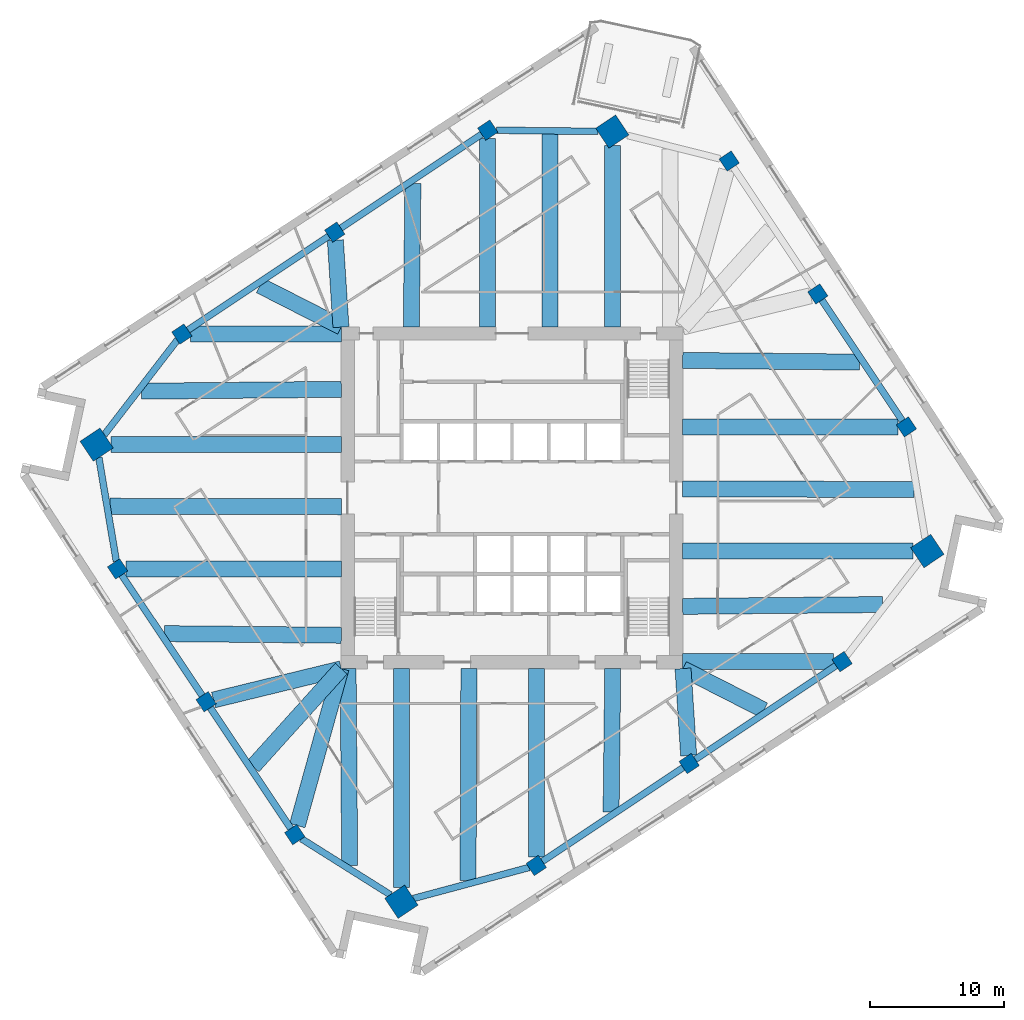
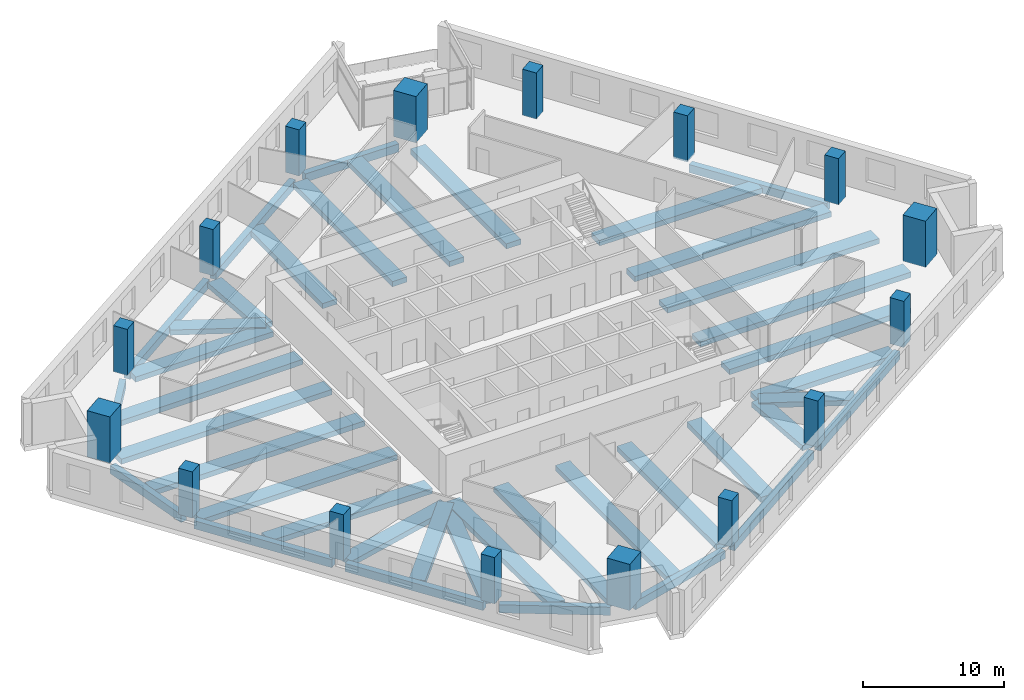
# One storey, part 1 of 12: 40 beams, 16 columns.
"""IFC4 building model written with IfcOpenShell, lengths in metres."""

from ifc_helpers import new_model, si_unit, direction, frame, origin, origin_2d, place, context, subcontext, project, spatial, rectangle, extrude, material, material_profile, profile_set, type_object, element, save


model = new_model("IFC4")

# Units and contexts
model_context = context("Model", 3, precision=1e-05, world=origin(), true_north=direction((0.0, 1.0)))
body_context = subcontext(model_context, "Body", "Model", "MODEL_VIEW")
ifc_project = project(units=[si_unit("LENGTHUNIT", "METRE"), si_unit("AREAUNIT", "SQUARE_METRE"), si_unit("VOLUMEUNIT", "CUBIC_METRE"), si_unit("PLANEANGLEUNIT", "RADIAN"), si_unit("MASSUNIT", "GRAM", prefix="KILO")], contexts=[model_context])

# Site, building, storey
site_placement = place(None, origin())
site = spatial("IfcSite", under=ifc_project, at=site_placement, CompositionType="ELEMENT")
building_placement = place(site_placement, origin())
building = spatial("IfcBuilding", under=site, at=building_placement, Name="Dilmun Exchange Tower", CompositionType="ELEMENT")
storey_placement = place(building_placement, frame((0.0, 0.0, 159.699951171875)))
storey = spatial("IfcBuildingStorey", under=building, at=storey_placement, Name="L37", CompositionType="ELEMENT", Elevation=159.699951171875)

# Columns
ifc_material_1 = material(Name="Concrete C60/75", Category="concrete")
ifc_material_profile_1 = material_profile(ifc_material_1, rectangle(XDim=1.800048828125, YDim=1.800048828125, at=origin_2d()), Name="1800 x 1800")
ifc_profile_set_1 = profile_set([ifc_material_profile_1], Name="Concrete C60/75")
column_type_1 = type_object("IfcColumnType", Name="RC mega column 1800 x 1800 C60/75", PredefinedType="COLUMN", material=ifc_profile_set_1)
for number, where, z_axis, x_axis, name in (
    (1, (7.506103515625, 27.409912109375, 0.0), (0.0, 0.0, 1.0), (0.832028680356, 0.55473261583, 0.0), "Mega column M1"),
    (2, (-31.0791015625, 3.98193359375, 0.0), (0.0, 0.0, 1.0), (0.832028680356, 0.55473261583, 0.0), "Mega column M2"),
    (3, (-8.27587890625, -30.220947265625, 0.0), (0.0, 0.0, 1.0), (0.832028680356, 0.55473261583, 0.0), "Mega column M3"),
    (4, (31.0791015625, -3.98193359375, 0.0), (0.0, 0.0, 1.0), (0.832028680356, 0.55473261583, 0.0), "Mega column M4"),
):
    element("IfcColumn", number, at=place(storey_placement, frame(where, z_axis=z_axis, x_axis=x_axis)), inside=storey, type_object=column_type_1, Name=name, PredefinedType="COLUMN", context=body_context, shape_type="SweptSolid", body=[
        extrude(rectangle(XDim=1.800048828125, YDim=1.800048828125, at=origin_2d()), origin(), (0.0, 0.0, 1.0), 4.0),
    ])
ifc_material_profile_2 = material_profile(ifc_material_1, rectangle(XDim=1.10009765625, YDim=1.10009765625, at=origin_2d()), Name="1100 x 1100")
ifc_profile_set_2 = profile_set([ifc_material_profile_2], Name="Concrete C60/75")
column_type_2 = type_object("IfcColumnType", Name="RC ring column 1100 x 1100 C60/75", PredefinedType="COLUMN", material=ifc_profile_set_2)
for number, where, z_axis, x_axis, name in (
    (5, (-1.818115234375, 27.512939453125, 0.0), (0.0, 0.0, 1.0), (0.832028680356, 0.55473261583, 0.0), "Ring column R01"),
    (6, (-13.258056640625, 19.885009765625, 0.0), (0.0, 0.0, 1.0), (0.832028680356, 0.55473261583, 0.0), "Ring column R02"),
    (7, (-24.698974609375, 12.258056640625, 0.0), (0.0, 0.0, 1.0), (0.832028680356, 0.55473261583, 0.0), "Ring column R03"),
    (8, (-29.510009765625, -5.31201171875, 0.0), (0.0, 0.0, 1.0), (0.832028680356, 0.55473261583, 0.0), "Ring column R04"),
    (9, (-22.881103515625, -15.2548828125, 0.0), (0.0, 0.0, 1.0), (0.832028680356, 0.55473261583, 0.0), "Ring column R05"),
    (10, (-16.251953125, -25.197998046875, 0.0), (0.0, 0.0, 1.0), (0.832028680356, 0.55473261583, 0.0), "Ring column R06"),
    (11, (1.818115234375, -27.512939453125, 0.0), (0.0, 0.0, 1.0), (0.832028680356, 0.55473261583, 0.0), "Ring column R07"),
    (12, (13.258056640625, -19.885009765625, 0.0), (0.0, 0.0, 1.0), (0.832028680356, 0.55473261583, 0.0), "Ring column R08"),
    (13, (24.698974609375, -12.258056640625, 0.0), (0.0, 0.0, 1.0), (0.832028680356, 0.55473261583, 0.0), "Ring column R09"),
    (14, (29.510009765625, 5.31201171875, 0.0), (0.0, 0.0, 1.0), (0.832028680356, 0.55473261583, 0.0), "Ring column R10"),
    (15, (22.881103515625, 15.2548828125, 0.0), (0.0, 0.0, 1.0), (0.832028680356, 0.55473261583, 0.0), "Ring column R11"),
    (16, (16.251953125, 25.197998046875, 0.0), (0.0, 0.0, 1.0), (0.832028680356, 0.55473261583, 0.0), "Ring column R12"),
):
    element("IfcColumn", number, at=place(storey_placement, frame(where, z_axis=z_axis, x_axis=x_axis)), inside=storey, type_object=column_type_2, Name=name, PredefinedType="COLUMN", context=body_context, shape_type="SweptSolid", body=[
        extrude(rectangle(XDim=1.10009765625, YDim=1.10009765625, at=origin_2d()), origin(), (0.0, 0.0, 1.0), 4.0),
    ])

# Beams
ifc_material_2 = material(Name="Concrete C40/50", Category="concrete")
ifc_material_profile_3 = material_profile(ifc_material_2, rectangle(XDim=1.199951171875, YDim=0.449951171875, at=origin_2d()), Name="1200 x 450")
ifc_profile_set_3 = profile_set([ifc_material_profile_3], Name="Concrete C40/50")
beam_type_1 = type_object("IfcBeamType", Name="RC band beam 1200 x 450 C40/50", PredefinedType="BEAM", material=ifc_profile_set_3)
beam_1_placement = place(storey_placement, frame((7.506103515625, 26.355224609375, -0.724853515625), z_axis=(0.0, -1.0, 0.0), x_axis=(1.0, 0.0, 0.0)))
element("IfcBeam", 17, at=beam_1_placement, inside=storey, type_object=beam_type_1, Name="Band beam 1", PredefinedType="BEAM", context=body_context, shape_type="SweptSolid", body=[
    extrude(rectangle(XDim=1.199951171875, YDim=0.449951171875, at=origin_2d()), origin(), (0.0, 0.0, 1.0), 13.582275390625),
])
beam_2_placement = place(storey_placement, frame((-1.818115234375, 26.87890625, -0.724853515625), z_axis=(0.0, -1.0, 0.0), x_axis=(1.0, 0.0, 0.0)))
element("IfcBeam", 18, at=beam_2_placement, inside=storey, type_object=beam_type_1, Name="Band beam 2", PredefinedType="BEAM", context=body_context, shape_type="SweptSolid", body=[
    extrude(rectangle(XDim=1.199951171875, YDim=0.449951171875, at=origin_2d()), origin(), (0.0, 0.0, 1.0), 14.10595703125),
])
beam_3_placement = place(storey_placement, frame((-13.21875, 19.2783203125, -0.724853515625), z_axis=(0.064492965824, -0.997918161654, 0.0), x_axis=(0.997918161654, 0.064492965824, 0.0)))
element("IfcBeam", 19, at=beam_3_placement, inside=storey, type_object=beam_type_1, Name="Band beam 3", PredefinedType="BEAM", context=body_context, shape_type="SweptSolid", body=[
    extrude(rectangle(XDim=1.199951171875, YDim=0.449951171875, at=origin_2d()), origin(), (0.0, 0.0, 1.0), 6.518798828125),
])
beam_4_placement = place(storey_placement, frame((-24.06494140625, 12.258056640625, -0.724853515625), z_axis=(1.0, 0.0, 0.0), x_axis=(0.0, 1.0, 0.0)))
element("IfcBeam", 20, at=beam_4_placement, inside=storey, type_object=beam_type_1, Name="Band beam 4", PredefinedType="BEAM", context=body_context, shape_type="SweptSolid", body=[
    extrude(rectangle(XDim=1.199951171875, YDim=0.449951171875, at=origin_2d()), origin(), (0.0, 0.0, 1.0), 11.2919921875),
])
beam_5_placement = place(storey_placement, frame((-30.0244140625, 3.98193359375, -0.724853515625), z_axis=(1.0, 0.0, 0.0), x_axis=(0.0, 1.0, 0.0)))
element("IfcBeam", 21, at=beam_5_placement, inside=storey, type_object=beam_type_1, Name="Band beam 5", PredefinedType="BEAM", context=body_context, shape_type="SweptSolid", body=[
    extrude(rectangle(XDim=1.199951171875, YDim=0.449951171875, at=origin_2d()), origin(), (0.0, 0.0, 1.0), 17.25146484375),
])
beam_6_placement = place(storey_placement, frame((-28.8759765625, -5.31201171875, -0.724853515625), z_axis=(1.0, 0.0, 0.0), x_axis=(0.0, 1.0, 0.0)))
element("IfcBeam", 22, at=beam_6_placement, inside=storey, type_object=beam_type_1, Name="Band beam 6", PredefinedType="BEAM", context=body_context, shape_type="SweptSolid", body=[
    extrude(rectangle(XDim=1.199951171875, YDim=0.449951171875, at=origin_2d()), origin(), (0.0, 0.0, 1.0), 16.10302734375),
])
beam_7_placement = place(storey_placement, frame((-22.33837890625, -15.122802734375, -0.724853515625), z_axis=(0.971607999859, 0.236596480554, 0.0), x_axis=(-0.236596480554, 0.971607999859, 0.0)))
element("IfcBeam", 23, at=beam_7_placement, inside=storey, type_object=beam_type_1, Name="Band beam 7", PredefinedType="BEAM", context=body_context, shape_type="SweptSolid", body=[
    extrude(rectangle(XDim=1.199951171875, YDim=0.449951171875, at=origin_2d()), origin(), (0.0, 0.0, 1.0), 9.84423828125),
])
beam_8_placement = place(storey_placement, frame((-16.064453125, -24.524658203125, -0.724853515625), z_axis=(0.268225004284, 0.963356292904, 0.0), x_axis=(-0.963356292904, 0.268225004284, 0.0)))
element("IfcBeam", 24, at=beam_8_placement, inside=storey, type_object=beam_type_1, Name="Band beam 8", PredefinedType="BEAM", context=body_context, shape_type="SweptSolid", body=[
    extrude(rectangle(XDim=1.199951171875, YDim=0.449951171875, at=origin_2d()), origin(), (0.0, 0.0, 1.0), 12.19775390625),
])
beam_9_placement = place(storey_placement, frame((-8.27587890625, -29.166259765625, -0.724853515625), z_axis=(0.0, 1.0, 0.0), x_axis=(-1.0, 0.0, 0.0)))
element("IfcBeam", 25, at=beam_9_placement, inside=storey, type_object=beam_type_1, Name="Band beam 9", PredefinedType="BEAM", context=body_context, shape_type="SweptSolid", body=[
    extrude(rectangle(XDim=1.199951171875, YDim=0.449951171875, at=origin_2d()), origin(), (0.0, 0.0, 1.0), 16.393310546875),
])
beam_10_placement = place(storey_placement, frame((1.818115234375, -26.87890625, -0.724853515625), z_axis=(0.0, 1.0, 0.0), x_axis=(-1.0, 0.0, 0.0)))
element("IfcBeam", 26, at=beam_10_placement, inside=storey, type_object=beam_type_1, Name="Band beam 10", PredefinedType="BEAM", context=body_context, shape_type="SweptSolid", body=[
    extrude(rectangle(XDim=1.199951171875, YDim=0.449951171875, at=origin_2d()), origin(), (0.0, 0.0, 1.0), 14.10595703125),
])
beam_11_placement = place(storey_placement, frame((13.21875, -19.2783203125, -0.724853515625), z_axis=(-0.064492965824, 0.997918161654, 0.0), x_axis=(-0.997918161654, -0.064492965824, 0.0)))
element("IfcBeam", 27, at=beam_11_placement, inside=storey, type_object=beam_type_1, Name="Band beam 11", PredefinedType="BEAM", context=body_context, shape_type="SweptSolid", body=[
    extrude(rectangle(XDim=1.199951171875, YDim=0.449951171875, at=origin_2d()), origin(), (0.0, 0.0, 1.0), 6.518798828125),
])
beam_12_placement = place(storey_placement, frame((24.06494140625, -12.258056640625, -0.724853515625), z_axis=(-1.0, 0.0, 0.0), x_axis=(0.0, -1.0, 0.0)))
element("IfcBeam", 28, at=beam_12_placement, inside=storey, type_object=beam_type_1, Name="Band beam 12", PredefinedType="BEAM", context=body_context, shape_type="SweptSolid", body=[
    extrude(rectangle(XDim=1.199951171875, YDim=0.449951171875, at=origin_2d()), origin(), (0.0, 0.0, 1.0), 11.2919921875),
])
beam_13_placement = place(storey_placement, frame((30.0244140625, -3.98193359375, -0.724853515625), z_axis=(-1.0, 0.0, 0.0), x_axis=(0.0, -1.0, 0.0)))
element("IfcBeam", 29, at=beam_13_placement, inside=storey, type_object=beam_type_1, Name="Band beam 13", PredefinedType="BEAM", context=body_context, shape_type="SweptSolid", body=[
    extrude(rectangle(XDim=1.199951171875, YDim=0.449951171875, at=origin_2d()), origin(), (0.0, 0.0, 1.0), 17.25146484375),
])
beam_14_placement = place(storey_placement, frame((28.8759765625, 5.31201171875, -0.724853515625), z_axis=(-1.0, 0.0, 0.0), x_axis=(0.0, -1.0, 0.0)))
element("IfcBeam", 30, at=beam_14_placement, inside=storey, type_object=beam_type_1, Name="Band beam 14", PredefinedType="BEAM", context=body_context, shape_type="SweptSolid", body=[
    extrude(rectangle(XDim=1.199951171875, YDim=0.449951171875, at=origin_2d()), origin(), (0.0, 0.0, 1.0), 16.10302734375),
])
beam_15_placement = place(storey_placement, frame((2.841552734375, 27.238525390625, -0.625), z_axis=(0.00016877352, -0.999999985758, 0.0), x_axis=(0.999999985758, 0.00016877352, 0.0)))
element("IfcBeam", 31, at=beam_15_placement, inside=storey, type_object=beam_type_1, Name="Band beam 17", PredefinedType="BEAM", context=body_context, shape_type="SweptSolid", body=[
    extrude(rectangle(XDim=1.199951171875, YDim=0.449951171875, at=origin_2d()), origin(), (0.0, 0.0, 1.0), 14.465576171875),
])
beam_16_placement = place(storey_placement, frame((-7.414306640625, 23.513427734375, -0.625), z_axis=(-0.011523795482, -0.999933598864, 0.0), x_axis=(0.999933598864, -0.011523795482, 0.0)))
element("IfcBeam", 32, at=beam_16_placement, inside=storey, type_object=beam_type_1, Name="Band beam 18", PredefinedType="BEAM", context=body_context, shape_type="SweptSolid", body=[
    extrude(rectangle(XDim=1.199951171875, YDim=0.449951171875, at=origin_2d()), origin(), (0.0, 0.0, 1.0), 10.7412109375),
])
beam_17_placement = place(storey_placement, frame((-18.854736328125, 15.885986328125, -0.625), z_axis=(0.890922045004, -0.454156261354, 0.0), x_axis=(0.454156261354, 0.890922045004, 0.0)))
element("IfcBeam", 33, at=beam_17_placement, inside=storey, type_object=beam_type_1, Name="Band beam 19", PredefinedType="BEAM", context=body_context, shape_type="SweptSolid", body=[
    extrude(rectangle(XDim=1.199951171875, YDim=0.449951171875, at=origin_2d()), origin(), (0.0, 0.0, 1.0), 6.82275390625),
])
beam_18_placement = place(storey_placement, frame((-27.71240234375, 7.98388671875, -0.625), z_axis=(0.99995842598, 0.009118459957, 0.0), x_axis=(-0.009118459957, 0.99995842598, 0.0)))
element("IfcBeam", 34, at=beam_18_placement, inside=storey, type_object=beam_type_1, Name="Band beam 20", PredefinedType="BEAM", context=body_context, shape_type="SweptSolid", body=[
    extrude(rectangle(XDim=1.199951171875, YDim=0.449951171875, at=origin_2d()), origin(), (0.0, 0.0, 1.0), 14.940185546875),
])
beam_19_placement = place(storey_placement, frame((-30.07470703125, -0.6279296875, -0.625), z_axis=(0.999997699854, -0.002144827713, 0.0), x_axis=(0.002144827713, 0.999997699854, 0.0)))
element("IfcBeam", 35, at=beam_19_placement, inside=storey, type_object=beam_type_1, Name="Band beam 21", PredefinedType="BEAM", context=body_context, shape_type="SweptSolid", body=[
    extrude(rectangle(XDim=1.199951171875, YDim=0.449951171875, at=origin_2d()), origin(), (0.0, 0.0, 1.0), 17.3017578125),
])
beam_20_placement = place(storey_placement, frame((-26.010009765625, -10.159912109375, -0.625), z_axis=(0.999956454863, -0.009332115424, 0.0), x_axis=(0.009332115424, 0.999956454863, 0.0)))
element("IfcBeam", 36, at=beam_20_placement, inside=storey, type_object=beam_type_1, Name="Band beam 22", PredefinedType="BEAM", context=body_context, shape_type="SweptSolid", body=[
    extrude(rectangle(XDim=1.199951171875, YDim=0.449951171875, at=origin_2d()), origin(), (0.0, 0.0, 1.0), 13.237548828125),
])
beam_21_placement = place(storey_placement, frame((-19.381103515625, -20.102783203125, -0.625), z_axis=(0.669462647611, 0.742845719819, 0.0), x_axis=(-0.742845719819, 0.669462647611, 0.0)))
element("IfcBeam", 37, at=beam_21_placement, inside=storey, type_object=beam_type_1, Name="Band beam 23", PredefinedType="BEAM", context=body_context, shape_type="SweptSolid", body=[
    extrude(rectangle(XDim=1.199951171875, YDim=0.449951171875, at=origin_2d()), origin(), (0.0, 0.0, 1.0), 9.857666015625),
])
beam_22_placement = place(storey_placement, frame((-12.145263671875, -27.520751953125, -0.625), z_axis=(-0.008045164826, 0.999967637138, 0.0), x_axis=(-0.999967637138, -0.008045164826, 0.0)))
element("IfcBeam", 38, at=beam_22_placement, inside=storey, type_object=beam_type_1, Name="Band beam 24", PredefinedType="BEAM", context=body_context, shape_type="SweptSolid", body=[
    extrude(rectangle(XDim=1.199951171875, YDim=0.449951171875, at=origin_2d()), origin(), (0.0, 0.0, 1.0), 14.748291015625),
])
beam_23_placement = place(storey_placement, frame((-3.286865234375, -28.651611328125, -0.625), z_axis=(0.003643943273, 0.999993360817, 0.0), x_axis=(-0.999993360817, 0.003643943273, 0.0)))
element("IfcBeam", 39, at=beam_23_placement, inside=storey, type_object=beam_type_1, Name="Band beam 25", PredefinedType="BEAM", context=body_context, shape_type="SweptSolid", body=[
    extrude(rectangle(XDim=1.199951171875, YDim=0.449951171875, at=origin_2d()), origin(), (0.0, 0.0, 1.0), 15.878662109375),
])
beam_24_placement = place(storey_placement, frame((7.414306640625, -23.513427734375, -0.625), z_axis=(0.011523795482, 0.999933598864, 0.0), x_axis=(-0.999933598864, 0.011523795482, 0.0)))
element("IfcBeam", 40, at=beam_24_placement, inside=storey, type_object=beam_type_1, Name="Band beam 26", PredefinedType="BEAM", context=body_context, shape_type="SweptSolid", body=[
    extrude(rectangle(XDim=1.199951171875, YDim=0.449951171875, at=origin_2d()), origin(), (0.0, 0.0, 1.0), 10.7412109375),
])
beam_25_placement = place(storey_placement, frame((18.854736328125, -15.885986328125, -0.625), z_axis=(-0.890922045004, 0.454156261354, 0.0), x_axis=(-0.454156261354, -0.890922045004, 0.0)))
element("IfcBeam", 41, at=beam_25_placement, inside=storey, type_object=beam_type_1, Name="Band beam 27", PredefinedType="BEAM", context=body_context, shape_type="SweptSolid", body=[
    extrude(rectangle(XDim=1.199951171875, YDim=0.449951171875, at=origin_2d()), origin(), (0.0, 0.0, 1.0), 6.82275390625),
])
beam_26_placement = place(storey_placement, frame((27.71240234375, -7.98388671875, -0.625), z_axis=(-0.99995842598, -0.009118459957, 0.0), x_axis=(0.009118459957, -0.99995842598, 0.0)))
element("IfcBeam", 42, at=beam_26_placement, inside=storey, type_object=beam_type_1, Name="Band beam 28", PredefinedType="BEAM", context=body_context, shape_type="SweptSolid", body=[
    extrude(rectangle(XDim=1.199951171875, YDim=0.449951171875, at=origin_2d()), origin(), (0.0, 0.0, 1.0), 14.940185546875),
])
beam_27_placement = place(storey_placement, frame((30.07470703125, 0.6279296875, -0.625), z_axis=(-0.999997699854, 0.002144827713, 0.0), x_axis=(-0.002144827713, -0.999997699854, 0.0)))
element("IfcBeam", 43, at=beam_27_placement, inside=storey, type_object=beam_type_1, Name="Band beam 29", PredefinedType="BEAM", context=body_context, shape_type="SweptSolid", body=[
    extrude(rectangle(XDim=1.199951171875, YDim=0.449951171875, at=origin_2d()), origin(), (0.0, 0.0, 1.0), 17.3017578125),
])
beam_28_placement = place(storey_placement, frame((26.010009765625, 10.159912109375, -0.625), z_axis=(-0.999956454863, 0.009332115424, 0.0), x_axis=(-0.009332115424, -0.999956454863, 0.0)))
element("IfcBeam", 44, at=beam_28_placement, inside=storey, type_object=beam_type_1, Name="Band beam 30", PredefinedType="BEAM", context=body_context, shape_type="SweptSolid", body=[
    extrude(rectangle(XDim=1.199951171875, YDim=0.449951171875, at=origin_2d()), origin(), (0.0, 0.0, 1.0), 13.237548828125),
])
ifc_material_profile_4 = material_profile(ifc_material_2, rectangle(XDim=0.5, YDim=0.699951171875, at=origin_2d()), Name="500 x 700")
ifc_profile_set_4 = profile_set([ifc_material_profile_4], Name="Concrete C40/50")
beam_type_2 = type_object("IfcBeamType", Name="RC ring beam 500 x 700 C40/50", PredefinedType="SPANDREL", material=ifc_profile_set_4)
beam_29_placement = place(storey_placement, frame((6.443359375, 27.421630859375, -0.75), z_axis=(-0.999938955437, 0.011049226175, 0.0), x_axis=(-0.011049226175, -0.999938955437, 0.0)))
element("IfcBeam", 45, at=beam_29_placement, inside=storey, type_object=beam_type_2, Name="Ring beam 1", PredefinedType="SPANDREL", context=body_context, shape_type="SweptSolid", body=[
    extrude(rectangle(XDim=0.5, YDim=0.699951171875, at=origin_2d()), origin(), (0.0, 0.0, 1.0), 7.623046875),
])
beam_30_placement = place(storey_placement, frame((-2.253173828125, 27.222900390625, -0.75), z_axis=(-0.832002986666, -0.554771151177, 0.0), x_axis=(0.554771151177, -0.832002986666, 0.0)))
element("IfcBeam", 46, at=beam_30_placement, inside=storey, type_object=beam_type_2, Name="Ring beam 2", PredefinedType="SPANDREL", context=body_context, shape_type="SweptSolid", body=[
    extrude(rectangle(XDim=0.5, YDim=0.699951171875, at=origin_2d()), origin(), (0.0, 0.0, 1.0), 12.7041015625),
])
beam_31_placement = place(storey_placement, frame((-13.693115234375, 19.594970703125, -0.75), z_axis=(-0.832062120058, -0.554682457235, 0.0), x_axis=(0.554682457235, -0.832062120058, 0.0)))
element("IfcBeam", 47, at=beam_31_placement, inside=storey, type_object=beam_type_2, Name="Ring beam 3", PredefinedType="SPANDREL", context=body_context, shape_type="SweptSolid", body=[
    extrude(rectangle(XDim=0.5, YDim=0.699951171875, at=origin_2d()), origin(), (0.0, 0.0, 1.0), 12.704345703125),
])
beam_32_placement = place(storey_placement, frame((-25.037109375, 11.819580078125, -0.75), z_axis=(-0.610521727247, -0.791999507929, 0.0), x_axis=(0.791999507929, -0.610521727247, 0.0)))
element("IfcBeam", 48, at=beam_32_placement, inside=storey, type_object=beam_type_2, Name="Ring beam 4", PredefinedType="SPANDREL", context=body_context, shape_type="SweptSolid", body=[
    extrude(rectangle(XDim=0.5, YDim=0.699951171875, at=origin_2d()), origin(), (0.0, 0.0, 1.0), 8.97314453125),
])
beam_33_placement = place(storey_placement, frame((-30.91943359375, 3.036376953125, -0.75), z_axis=(0.166485785433, -0.986043854628, 0.0), x_axis=(0.986043854628, 0.166485785433, 0.0)))
element("IfcBeam", 49, at=beam_33_placement, inside=storey, type_object=beam_type_2, Name="Ring beam 5", PredefinedType="SPANDREL", context=body_context, shape_type="SweptSolid", body=[
    extrude(rectangle(XDim=0.5, YDim=0.699951171875, at=origin_2d()), origin(), (0.0, 0.0, 1.0), 7.890869140625),
])
for number, where, z_axis, x_axis, name in (
    (50, (-29.219970703125, -5.747314453125, -0.75), (0.554731197186, -0.832029626196, 0.0), (0.832029626196, 0.554731197186, 0.0), "Ring beam 6"),
    (51, (-22.5908203125, -15.690185546875, -0.75), (0.554731197186, -0.832029626196, 0.0), (0.832029626196, 0.554731197186, 0.0), "Ring beam 7"),
):
    element("IfcBeam", number, at=place(storey_placement, frame(where, z_axis=z_axis, x_axis=x_axis)), inside=storey, type_object=beam_type_2, Name=name, PredefinedType="SPANDREL", context=body_context, shape_type="SweptSolid", body=[
        extrude(rectangle(XDim=0.5, YDim=0.699951171875, at=origin_2d()), origin(), (0.0, 0.0, 1.0), 10.904052734375),
    ])
beam_34_placement = place(storey_placement, frame((-15.764892578125, -25.504638671875, -0.75), z_axis=(0.846177038183, -0.532901885953, 0.0), x_axis=(0.532901885953, 0.846177038183, 0.0)))
element("IfcBeam", 52, at=beam_34_placement, inside=storey, type_object=beam_type_2, Name="Ring beam 8", PredefinedType="SPANDREL", context=body_context, shape_type="SweptSolid", body=[
    extrude(rectangle(XDim=0.5, YDim=0.699951171875, at=origin_2d()), origin(), (0.0, 0.0, 1.0), 7.891357421875),
])
beam_35_placement = place(storey_placement, frame((-7.384521484375, -29.981689453125, -0.75), z_axis=(0.965850974034, 0.259098236113, 0.0), x_axis=(-0.259098236113, 0.965850974034, 0.0)))
element("IfcBeam", 53, at=beam_35_placement, inside=storey, type_object=beam_type_2, Name="Ring beam 9", PredefinedType="SPANDREL", context=body_context, shape_type="SweptSolid", body=[
    extrude(rectangle(XDim=0.5, YDim=0.699951171875, at=origin_2d()), origin(), (0.0, 0.0, 1.0), 8.97412109375),
])
beam_36_placement = place(storey_placement, frame((2.253173828125, -27.222900390625, -0.75), z_axis=(0.832002986666, 0.554771151177, 0.0), x_axis=(-0.554771151177, 0.832002986666, 0.0)))
element("IfcBeam", 54, at=beam_36_placement, inside=storey, type_object=beam_type_2, Name="Ring beam 10", PredefinedType="SPANDREL", context=body_context, shape_type="SweptSolid", body=[
    extrude(rectangle(XDim=0.5, YDim=0.699951171875, at=origin_2d()), origin(), (0.0, 0.0, 1.0), 12.7041015625),
])
beam_37_placement = place(storey_placement, frame((13.693115234375, -19.594970703125, -0.75), z_axis=(0.832062120058, 0.554682457235, 0.0), x_axis=(-0.554682457235, 0.832062120058, 0.0)))
element("IfcBeam", 55, at=beam_37_placement, inside=storey, type_object=beam_type_2, Name="Ring beam 11", PredefinedType="SPANDREL", context=body_context, shape_type="SweptSolid", body=[
    extrude(rectangle(XDim=0.5, YDim=0.699951171875, at=origin_2d()), origin(), (0.0, 0.0, 1.0), 12.704345703125),
])
beam_38_placement = place(storey_placement, frame((29.219970703125, 5.747314453125, -0.75), z_axis=(-0.554731197186, 0.832029626196, 0.0), x_axis=(-0.832029626196, -0.554731197186, 0.0)))
element("IfcBeam", 56, at=beam_38_placement, inside=storey, type_object=beam_type_2, Name="Ring beam 14", PredefinedType="SPANDREL", context=body_context, shape_type="SweptSolid", body=[
    extrude(rectangle(XDim=0.5, YDim=0.699951171875, at=origin_2d()), origin(), (0.0, 0.0, 1.0), 10.904052734375),
])

save(model, "model.ifc")
